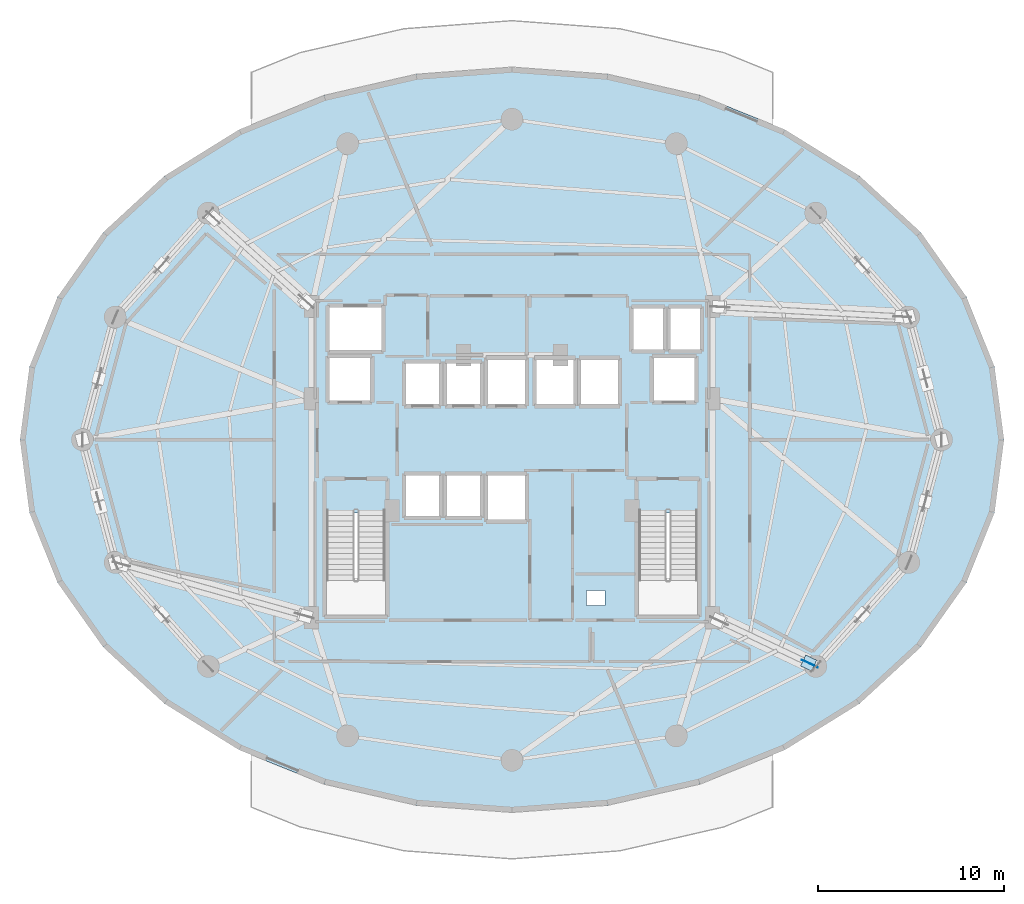
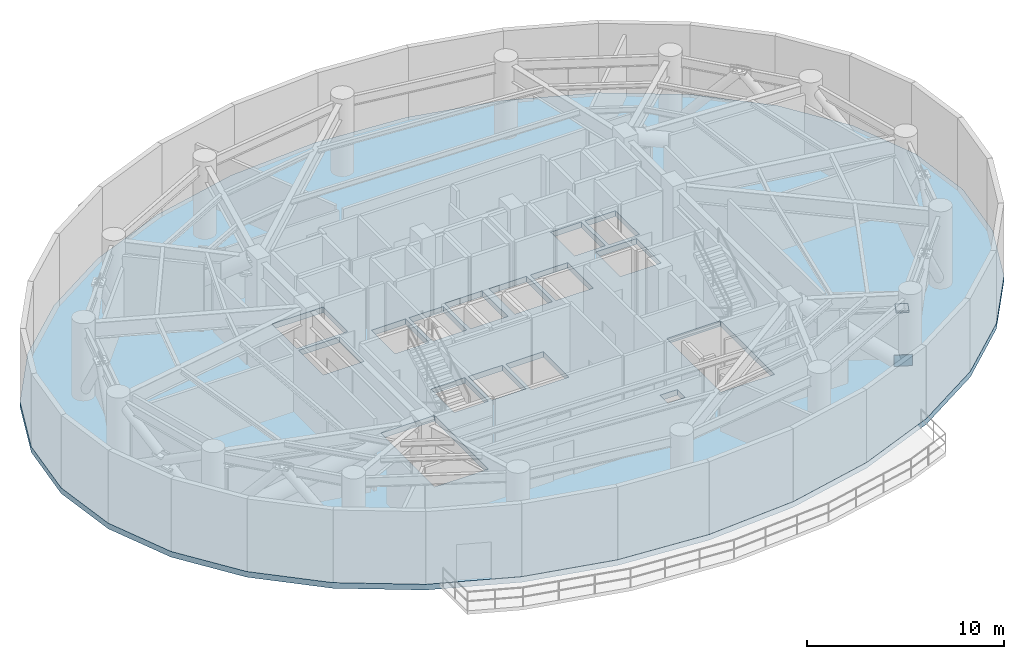
# One storey, part 4 of 10: 2 plates, 1 slab.
"""IFC4 building model written with IfcOpenShell, lengths in metres."""

from ifc_helpers import new_model, si_unit, direction, frame, origin, origin_2d, place, context, subcontext, project, spatial, polyline, rectangle, outline, extrude, material, layer, layer_set, type_object, element, save


model = new_model("IFC4")

# Units and contexts
model_context = context("Model", 3, precision=1e-05, world=origin(), true_north=direction((0.0, 1.0)))
body_context = subcontext(model_context, "Body", "Model", "MODEL_VIEW")
ifc_project = project(units=[si_unit("LENGTHUNIT", "METRE"), si_unit("AREAUNIT", "SQUARE_METRE"), si_unit("VOLUMEUNIT", "CUBIC_METRE"), si_unit("PLANEANGLEUNIT", "RADIAN"), si_unit("MASSUNIT", "GRAM", prefix="KILO")], contexts=[model_context])

# Site, building, storey
site_placement = place(None, origin())
site = spatial("IfcSite", under=ifc_project, at=site_placement, CompositionType="ELEMENT")
building_placement = place(site_placement, origin())
building = spatial("IfcBuilding", under=site, at=building_placement, Name="Vorneva Point Tower", CompositionType="ELEMENT")
storey_placement = place(building_placement, frame((0.0, 0.0, 69.5)))
storey = spatial("IfcBuildingStorey", under=building, at=storey_placement, Name="L18", CompositionType="ELEMENT", Elevation=69.5)

# Plates
ifc_material_1 = material(Name="Steel S355", Category="steel")
ifc_layer_1 = layer(ifc_material_1, 0.028076171875)
ifc_layer_set_1 = layer_set([ifc_layer_1], Name="Steel S355")
plate_type_1 = type_object("IfcPlateType", Name="PLT-CAP-INT", PredefinedType="USERDEFINED", material=ifc_layer_set_1)
plate_1_placement = place(storey_placement, frame((53.918701171875, 14.0166015625, 3.51416015625), z_axis=(0.0, 0.0, 1.0), x_axis=(0.904760160049, -0.425921416213, 0.0)))
element("IfcPlate", 1, at=plate_1_placement, inside=storey, type_object=plate_type_1, Name="L18 Core Outrigger Collector Strut 15B end closure plate 2", ObjectType="BASE PLATE", PredefinedType="USERDEFINED", context=body_context, shape_type="SweptSolid", body=[
    extrude(rectangle(XDim=0.64990234375, YDim=0.64990234375, at=origin_2d()), origin(), (0.0, 0.0, 1.0), 0.112060546875),
])
ifc_material_2 = material(Name="Steel S460", Category="steel")
ifc_layer_2 = layer(ifc_material_2, 0.031982421875)
ifc_layer_set_2 = layer_set([ifc_layer_2], Name="Steel S460")
plate_type_2 = type_object("IfcPlateType", Name="PLT-GUS-32", PredefinedType="USERDEFINED", material=ifc_layer_set_2)
plate_2_placement = place(storey_placement, frame((53.982177734375, 13.98681640625, -0.1201171875), z_axis=(0.0, 0.0, 1.0), x_axis=(0.90475272618, -0.425937207192, 0.0)))
element("IfcPlate", 2, at=plate_2_placement, inside=storey, type_object=plate_type_2, Name="L18 Outrigger Perimeter Column Gusset 15", ObjectType="GUSSET PLATE", PredefinedType="USERDEFINED", context=body_context, shape_type="SweptSolid", body=[
    extrude(rectangle(XDim=0.949951171875, YDim=0.031982421875, at=origin_2d()), origin(), (0.0, 0.0, 1.0), 0.800048828125),
])

# Slab
ifc_material_3 = material(Name="Concrete B50 (C40/50)", Category="concrete")
ifc_layer_3 = layer(ifc_material_3, 0.35009765625)
ifc_layer_set_3 = layer_set([ifc_layer_3], Name="Concrete B50 (C40/50)")
slab_type = type_object("IfcSlabType", Name="SLB-B01-350", PredefinedType="FLOOR", material=ifc_layer_set_3)
slab_placement = place(storey_placement, frame((0.0, 0.0, -0.35009765625)))
element("IfcSlab", 3, at=slab_placement, inside=storey, type_object=slab_type, Name="L18 Structural Floor Plate", PredefinedType="FLOOR", context=body_context, shape_type="SweptSolid", body=[
    extrude(outline(polyline([(64.39990234375, 26.0), (63.892578125, 29.90185546875), (62.390380859375, 33.65380859375), (59.95068359375, 37.111328125), (56.66748046875, 40.14208984375), (52.6669921875, 42.62939453125), (48.102783203125, 44.4775390625), (43.150390625, 45.61572265625), (38.0, 46.0), (32.849609375, 45.61572265625), (27.897216796875, 44.4775390625), (23.3330078125, 42.62939453125), (19.33251953125, 40.14208984375), (16.04931640625, 37.111328125), (13.609619140625, 33.65380859375), (12.107421875, 29.90185546875), (11.60009765625, 26.0), (12.107421875, 22.09814453125), (13.609619140625, 18.34619140625), (16.04931640625, 14.888671875), (19.33251953125, 11.85791015625), (23.3330078125, 9.37060546875), (27.897216796875, 7.5224609375), (32.849609375, 6.38427734375), (38.0, 6.0), (43.150390625, 6.38427734375), (48.102783203125, 7.5224609375), (52.6669921875, 9.37060546875), (56.66748046875, 11.85791015625), (59.95068359375, 14.888671875), (62.390380859375, 18.34619140625), (63.892578125, 22.09814453125), (64.39990234375, 26.0)]), holes=[polyline([(32.199951171875, 27.800048828125), (34.199951171875, 27.800048828125), (34.199951171875, 30.199951171875), (32.199951171875, 30.199951171875), (32.199951171875, 27.800048828125)]), polyline([(34.39990234375, 27.800048828125), (36.39990234375, 27.800048828125), (36.39990234375, 30.199951171875), (34.39990234375, 30.199951171875), (34.39990234375, 27.800048828125)]), polyline([(36.60009765625, 27.800048828125), (38.800048828125, 27.800048828125), (38.800048828125, 30.39990234375), (36.60009765625, 30.39990234375), (36.60009765625, 27.800048828125)]), polyline([(32.199951171875, 21.800048828125), (34.199951171875, 21.800048828125), (34.199951171875, 24.199951171875), (32.199951171875, 24.199951171875), (32.199951171875, 21.800048828125)]), polyline([(34.39990234375, 21.800048828125), (36.39990234375, 21.800048828125), (36.39990234375, 24.199951171875), (34.39990234375, 24.199951171875), (34.39990234375, 21.800048828125)]), polyline([(36.60009765625, 21.60009765625), (38.800048828125, 21.60009765625), (38.800048828125, 24.199951171875), (36.60009765625, 24.199951171875), (36.60009765625, 21.60009765625)]), polyline([(39.199951171875, 27.800048828125), (41.39990234375, 27.800048828125), (41.39990234375, 30.39990234375), (39.199951171875, 30.39990234375), (39.199951171875, 27.800048828125)]), polyline([(41.60009765625, 27.800048828125), (43.800048828125, 27.800048828125), (43.800048828125, 30.39990234375), (41.60009765625, 30.39990234375), (41.60009765625, 27.800048828125)]), polyline([(44.39990234375, 30.739990234375), (46.199951171875, 30.739990234375), (46.199951171875, 33.159912109375), (44.39990234375, 33.159912109375), (44.39990234375, 30.739990234375)]), polyline([(46.39990234375, 30.739990234375), (48.199951171875, 30.739990234375), (48.199951171875, 33.159912109375), (46.39990234375, 33.159912109375), (46.39990234375, 30.739990234375)]), polyline([(28.10009765625, 28.0), (30.5, 28.0), (30.5, 30.5), (28.10009765625, 30.5), (28.10009765625, 28.0)]), polyline([(45.5, 28.0), (47.89990234375, 28.0), (47.89990234375, 30.5), (45.5, 30.5), (45.5, 28.0)]), polyline([(28.10009765625, 30.699951171875), (31.10009765625, 30.699951171875), (31.10009765625, 33.199951171875), (28.10009765625, 33.199951171875), (28.10009765625, 30.699951171875)]), polyline([(28.050048828125, 16.60009765625), (31.199951171875, 16.60009765625), (31.199951171875, 22.080078125), (28.050048828125, 22.080078125), (28.050048828125, 16.60009765625)]), polyline([(44.800048828125, 16.60009765625), (47.949951171875, 16.60009765625), (47.949951171875, 22.080078125), (44.800048828125, 22.080078125), (44.800048828125, 16.60009765625)]), polyline([(42.0, 17.10009765625), (43.0, 17.10009765625), (43.0, 17.89990234375), (42.0, 17.89990234375), (42.0, 17.10009765625)])]), origin(), (0.0, 0.0, 1.0), 0.35009765625),
])

save(model, "model.ifc")
